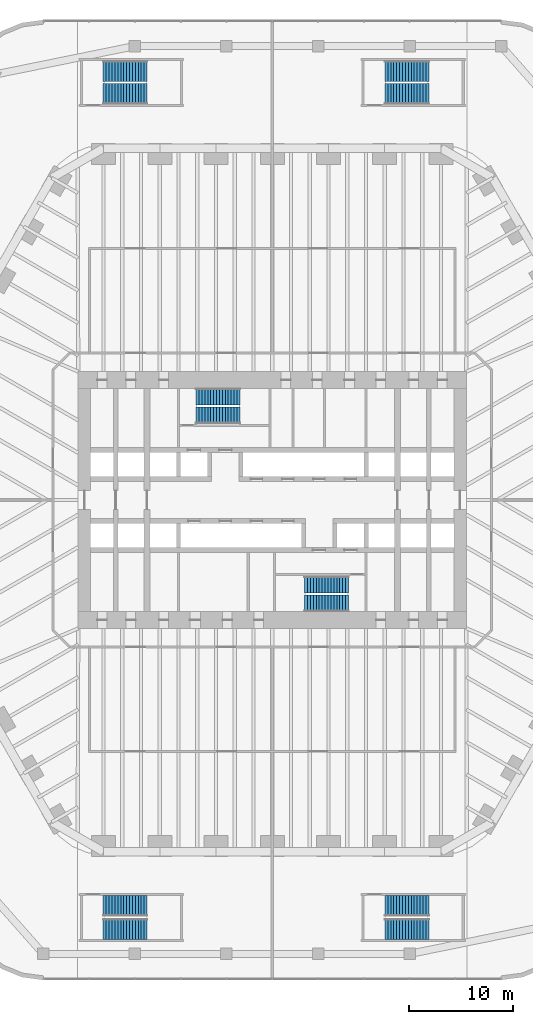
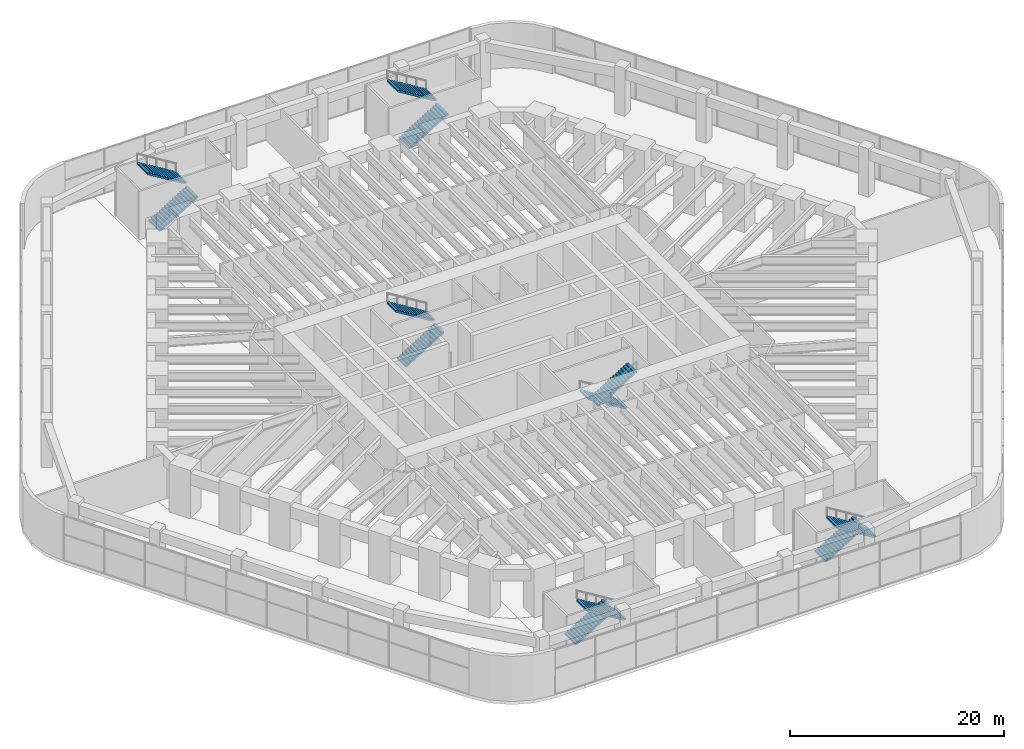
# One storey, part 30 of 31: 12 stair flights, 6 elements without a shape of their own.
"""IFC4 building model written with IfcOpenShell, lengths in metres."""

from ifc_helpers import new_model, si_unit, direction, frame, origin, place, context, subcontext, project, spatial, polyline, outline, extrude, material, type_object, element, aggregate, save


model = new_model("IFC4")

# Units and contexts
model_context = context("Model", 3, precision=1e-05, world=origin(), true_north=direction((0.0, 1.0)))
body_context = subcontext(model_context, "Body", "Model", "MODEL_VIEW")
ifc_project = project(units=[si_unit("LENGTHUNIT", "METRE"), si_unit("AREAUNIT", "SQUARE_METRE"), si_unit("VOLUMEUNIT", "CUBIC_METRE"), si_unit("PLANEANGLEUNIT", "RADIAN"), si_unit("MASSUNIT", "GRAM", prefix="KILO")], contexts=[model_context])

# Site, building, storey
site_placement = place(None, origin())
site = spatial("IfcSite", under=ifc_project, at=site_placement, CompositionType="ELEMENT")
building_placement = place(site_placement, origin())
building = spatial("IfcBuilding", under=site, at=building_placement, Name="Tarfa Lantern Tower", CompositionType="ELEMENT")
storey_placement = place(building_placement, frame((0.0, 0.0, 13.0)))
storey = spatial("IfcBuildingStorey", under=building, at=storey_placement, Name="L02", CompositionType="ELEMENT", Elevation=13.0)

# Stair, stair flights
ifc_material = material(Name="Concrete C40/50", Category="concrete")
stair_type_1 = type_object("IfcStairType", Name="ST-T7 HALF-TURN STAIR 5500 RISE", PredefinedType="HALF_TURN_STAIR", material=ifc_material)
stair_1_placement = place(storey_placement, origin())
stair_1 = element("IfcStair", 1, at=stair_1_placement, inside=storey, type_object=stair_type_1, Name="Stair ST1", PredefinedType="HALF_TURN_STAIR")
stair_flight_type = type_object("IfcStairFlightType", Name="SF1 STAIR FLIGHT", PredefinedType="STRAIGHT", material=ifc_material)
stair_flight_1_placement = place(storey_placement, frame((-7.300048828125, 8.10009765625, 0.0), z_axis=(0.0, 0.0, 1.0), x_axis=(1.0, 0.0, 0.0)))
stair_flight_1 = element("IfcStairFlight", 2, at=stair_flight_1_placement, type_object=stair_flight_type, Name="ST1 flight 1", NumberOfRisers=16, NumberOfTreads=15, PredefinedType="STRAIGHT", RiserHeight=0.171875, TreadLength=0.28, context=body_context, shape_type="SweptSolid", body=[
    extrude(outline(polyline([(0.0, 0.0), (0.0, 0.171875), (0.280029296875, 0.171875), (0.280029296875, 0.34375), (0.56005859375, 0.34375), (0.56005859375, 0.515625), (0.840087890625, 0.515625), (0.840087890625, 0.6875), (1.1201171875, 0.6875), (1.1201171875, 0.859375), (1.39990234375, 0.859375), (1.39990234375, 1.03125), (1.679931640625, 1.03125), (1.679931640625, 1.203125), (1.9599609375, 1.203125), (1.9599609375, 1.375), (2.239990234375, 1.375), (2.239990234375, 1.546875), (2.52001953125, 1.546875), (2.52001953125, 1.71875), (2.800048828125, 1.71875), (2.800048828125, 1.890625), (3.080078125, 1.890625), (3.080078125, 2.0625), (3.360107421875, 2.0625), (3.360107421875, 2.234375), (3.639892578125, 2.234375), (3.639892578125, 2.40625), (3.919921875, 2.40625), (3.919921875, 2.578125), (4.199951171875, 2.578125), (4.199951171875, 2.75), (4.199951171875, 2.40234375), (0.28662109375, 0.0), (0.0, 0.0)])), frame((0.0, 0.800048828125, 0.0), z_axis=(0.0, -1.0, 0.0), x_axis=(1.0, 0.0, 0.0)), (0.0, 0.0, 1.0), 1.60009765625),
])
stair_flight_2_placement = place(storey_placement, frame((-3.10009765625, 9.89990234375, 2.75), z_axis=(0.0, 0.0, 1.0), x_axis=(-1.0, 0.0, 0.0)))
stair_flight_2 = element("IfcStairFlight", 3, at=stair_flight_2_placement, type_object=stair_flight_type, Name="ST1 flight 2", NumberOfRisers=16, NumberOfTreads=15, PredefinedType="STRAIGHT", RiserHeight=0.171875, TreadLength=0.28, context=body_context, shape_type="SweptSolid", body=[
    extrude(outline(polyline([(0.0, 0.0), (0.0, 0.171875), (0.280029296875, 0.171875), (0.280029296875, 0.34375), (0.56005859375, 0.34375), (0.56005859375, 0.515625), (0.840087890625, 0.515625), (0.840087890625, 0.6875), (1.1201171875, 0.6875), (1.1201171875, 0.859375), (1.39990234375, 0.859375), (1.39990234375, 1.03125), (1.679931640625, 1.03125), (1.679931640625, 1.203125), (1.9599609375, 1.203125), (1.9599609375, 1.375), (2.239990234375, 1.375), (2.239990234375, 1.546875), (2.52001953125, 1.546875), (2.52001953125, 1.71875), (2.800048828125, 1.71875), (2.800048828125, 1.890625), (3.080078125, 1.890625), (3.080078125, 2.0625), (3.360107421875, 2.0625), (3.360107421875, 2.234375), (3.639892578125, 2.234375), (3.639892578125, 2.40625), (3.919921875, 2.40625), (3.919921875, 2.578125), (4.199951171875, 2.578125), (4.199951171875, 2.75), (4.199951171875, 2.40234375), (0.28662109375, 0.0), (0.0, 0.0)])), frame((0.0, 0.800048828125, 0.0), z_axis=(0.0, -1.0, 0.0), x_axis=(1.0, 0.0, 0.0)), (0.0, 0.0, 1.0), 1.60009765625),
])
aggregate(stair_1, [stair_flight_1, stair_flight_2])

stair_2_placement = place(storey_placement, origin())
stair_2 = element("IfcStair", 4, at=stair_2_placement, inside=storey, type_object=stair_type_1, Name="Stair ST2", PredefinedType="HALF_TURN_STAIR")
stair_flight_3_placement = place(storey_placement, frame((7.300048828125, -8.10009765625, 0.0), z_axis=(0.0, 0.0, 1.0), x_axis=(-1.0, 0.0, 0.0)))
stair_flight_3 = element("IfcStairFlight", 5, at=stair_flight_3_placement, type_object=stair_flight_type, Name="ST2 flight 1", NumberOfRisers=16, NumberOfTreads=15, PredefinedType="STRAIGHT", RiserHeight=0.171875, TreadLength=0.28, context=body_context, shape_type="SweptSolid", body=[
    extrude(outline(polyline([(0.0, 0.0), (0.0, 0.171875), (0.280029296875, 0.171875), (0.280029296875, 0.34375), (0.56005859375, 0.34375), (0.56005859375, 0.515625), (0.840087890625, 0.515625), (0.840087890625, 0.6875), (1.1201171875, 0.6875), (1.1201171875, 0.859375), (1.39990234375, 0.859375), (1.39990234375, 1.03125), (1.679931640625, 1.03125), (1.679931640625, 1.203125), (1.9599609375, 1.203125), (1.9599609375, 1.375), (2.239990234375, 1.375), (2.239990234375, 1.546875), (2.52001953125, 1.546875), (2.52001953125, 1.71875), (2.800048828125, 1.71875), (2.800048828125, 1.890625), (3.080078125, 1.890625), (3.080078125, 2.0625), (3.360107421875, 2.0625), (3.360107421875, 2.234375), (3.639892578125, 2.234375), (3.639892578125, 2.40625), (3.919921875, 2.40625), (3.919921875, 2.578125), (4.199951171875, 2.578125), (4.199951171875, 2.75), (4.199951171875, 2.40234375), (0.28662109375, 0.0), (0.0, 0.0)])), frame((0.0, 0.800048828125, 0.0), z_axis=(0.0, -1.0, 0.0), x_axis=(1.0, 0.0, 0.0)), (0.0, 0.0, 1.0), 1.60009765625),
])
stair_flight_4_placement = place(storey_placement, frame((3.10009765625, -9.89990234375, 2.75), z_axis=(0.0, 0.0, 1.0), x_axis=(1.0, 0.0, 0.0)))
stair_flight_4 = element("IfcStairFlight", 6, at=stair_flight_4_placement, type_object=stair_flight_type, Name="ST2 flight 2", NumberOfRisers=16, NumberOfTreads=15, PredefinedType="STRAIGHT", RiserHeight=0.171875, TreadLength=0.28, context=body_context, shape_type="SweptSolid", body=[
    extrude(outline(polyline([(0.0, 0.0), (0.0, 0.171875), (0.280029296875, 0.171875), (0.280029296875, 0.34375), (0.56005859375, 0.34375), (0.56005859375, 0.515625), (0.840087890625, 0.515625), (0.840087890625, 0.6875), (1.1201171875, 0.6875), (1.1201171875, 0.859375), (1.39990234375, 0.859375), (1.39990234375, 1.03125), (1.679931640625, 1.03125), (1.679931640625, 1.203125), (1.9599609375, 1.203125), (1.9599609375, 1.375), (2.239990234375, 1.375), (2.239990234375, 1.546875), (2.52001953125, 1.546875), (2.52001953125, 1.71875), (2.800048828125, 1.71875), (2.800048828125, 1.890625), (3.080078125, 1.890625), (3.080078125, 2.0625), (3.360107421875, 2.0625), (3.360107421875, 2.234375), (3.639892578125, 2.234375), (3.639892578125, 2.40625), (3.919921875, 2.40625), (3.919921875, 2.578125), (4.199951171875, 2.578125), (4.199951171875, 2.75), (4.199951171875, 2.40234375), (0.28662109375, 0.0), (0.0, 0.0)])), frame((0.0, 0.800048828125, 0.0), z_axis=(0.0, -1.0, 0.0), x_axis=(1.0, 0.0, 0.0)), (0.0, 0.0, 1.0), 1.60009765625),
])
aggregate(stair_2, [stair_flight_3, stair_flight_4])

stair_type_2 = type_object("IfcStairType", Name="ST-T8 HALF-TURN STAIR 5500 RISE", PredefinedType="HALF_TURN_STAIR", material=ifc_material)
stair_3_placement = place(storey_placement, origin())
stair_3 = element("IfcStair", 7, at=stair_3_placement, inside=storey, type_object=stair_type_2, Name="Stair ST3", PredefinedType="HALF_TURN_STAIR")
stair_flight_5_placement = place(storey_placement, frame((10.800048828125, 38.89990234375, 0.0), z_axis=(0.0, 0.0, 1.0), x_axis=(1.0, 0.0, 0.0)))
stair_flight_5 = element("IfcStairFlight", 8, at=stair_flight_5_placement, type_object=stair_flight_type, Name="ST3 flight 1", NumberOfRisers=16, NumberOfTreads=15, PredefinedType="STRAIGHT", RiserHeight=0.171875, TreadLength=0.28, context=body_context, shape_type="SweptSolid", body=[
    extrude(outline(polyline([(0.0, 0.0), (0.0, 0.171875), (0.280029296875, 0.171875), (0.280029296875, 0.34375), (0.56005859375, 0.34375), (0.56005859375, 0.515625), (0.840087890625, 0.515625), (0.840087890625, 0.6875), (1.1201171875, 0.6875), (1.1201171875, 0.859375), (1.39990234375, 0.859375), (1.39990234375, 1.03125), (1.679931640625, 1.03125), (1.679931640625, 1.203125), (1.9599609375, 1.203125), (1.9599609375, 1.375), (2.239990234375, 1.375), (2.239990234375, 1.546875), (2.52001953125, 1.546875), (2.52001953125, 1.71875), (2.800048828125, 1.71875), (2.800048828125, 1.890625), (3.080078125, 1.890625), (3.080078125, 2.0625), (3.360107421875, 2.0625), (3.360107421875, 2.234375), (3.639892578125, 2.234375), (3.639892578125, 2.40625), (3.919921875, 2.40625), (3.919921875, 2.578125), (4.199951171875, 2.578125), (4.199951171875, 2.75), (4.199951171875, 2.40234375), (0.28662109375, 0.0), (0.0, 0.0)])), frame((0.0, 1.0, 0.0), z_axis=(0.0, -1.0, 0.0), x_axis=(1.0, 0.0, 0.0)), (0.0, 0.0, 1.0), 2.0),
])
stair_flight_6_placement = place(storey_placement, frame((15.0, 41.10009765625, 2.75), z_axis=(0.0, 0.0, 1.0), x_axis=(-1.0, 0.0, 0.0)))
stair_flight_6 = element("IfcStairFlight", 9, at=stair_flight_6_placement, type_object=stair_flight_type, Name="ST3 flight 2", NumberOfRisers=16, NumberOfTreads=15, PredefinedType="STRAIGHT", RiserHeight=0.171875, TreadLength=0.28, context=body_context, shape_type="SweptSolid", body=[
    extrude(outline(polyline([(0.0, 0.0), (0.0, 0.171875), (0.280029296875, 0.171875), (0.280029296875, 0.34375), (0.56005859375, 0.34375), (0.56005859375, 0.515625), (0.840087890625, 0.515625), (0.840087890625, 0.6875), (1.1201171875, 0.6875), (1.1201171875, 0.859375), (1.39990234375, 0.859375), (1.39990234375, 1.03125), (1.679931640625, 1.03125), (1.679931640625, 1.203125), (1.9599609375, 1.203125), (1.9599609375, 1.375), (2.239990234375, 1.375), (2.239990234375, 1.546875), (2.52001953125, 1.546875), (2.52001953125, 1.71875), (2.800048828125, 1.71875), (2.800048828125, 1.890625), (3.080078125, 1.890625), (3.080078125, 2.0625), (3.360107421875, 2.0625), (3.360107421875, 2.234375), (3.639892578125, 2.234375), (3.639892578125, 2.40625), (3.919921875, 2.40625), (3.919921875, 2.578125), (4.199951171875, 2.578125), (4.199951171875, 2.75), (4.199951171875, 2.40234375), (0.28662109375, 0.0), (0.0, 0.0)])), frame((0.0, 1.0, 0.0), z_axis=(0.0, -1.0, 0.0), x_axis=(1.0, 0.0, 0.0)), (0.0, 0.0, 1.0), 2.0),
])
aggregate(stair_3, [stair_flight_5, stair_flight_6])

stair_4_placement = place(storey_placement, origin())
stair_4 = element("IfcStair", 10, at=stair_4_placement, inside=storey, type_object=stair_type_2, Name="Stair ST4", PredefinedType="HALF_TURN_STAIR")
stair_flight_7_placement = place(storey_placement, frame((-16.199951171875, 38.89990234375, 0.0), z_axis=(0.0, 0.0, 1.0), x_axis=(1.0, 0.0, 0.0)))
stair_flight_7 = element("IfcStairFlight", 11, at=stair_flight_7_placement, type_object=stair_flight_type, Name="ST4 flight 1", NumberOfRisers=16, NumberOfTreads=15, PredefinedType="STRAIGHT", RiserHeight=0.171875, TreadLength=0.28, context=body_context, shape_type="SweptSolid", body=[
    extrude(outline(polyline([(0.0, 0.0), (0.0, 0.171875), (0.280029296875, 0.171875), (0.280029296875, 0.34375), (0.56005859375, 0.34375), (0.56005859375, 0.515625), (0.840087890625, 0.515625), (0.840087890625, 0.6875), (1.1201171875, 0.6875), (1.1201171875, 0.859375), (1.39990234375, 0.859375), (1.39990234375, 1.03125), (1.679931640625, 1.03125), (1.679931640625, 1.203125), (1.9599609375, 1.203125), (1.9599609375, 1.375), (2.239990234375, 1.375), (2.239990234375, 1.546875), (2.52001953125, 1.546875), (2.52001953125, 1.71875), (2.800048828125, 1.71875), (2.800048828125, 1.890625), (3.080078125, 1.890625), (3.080078125, 2.0625), (3.360107421875, 2.0625), (3.360107421875, 2.234375), (3.639892578125, 2.234375), (3.639892578125, 2.40625), (3.919921875, 2.40625), (3.919921875, 2.578125), (4.199951171875, 2.578125), (4.199951171875, 2.75), (4.199951171875, 2.40234375), (0.28662109375, 0.0), (0.0, 0.0)])), frame((0.0, 1.0, 0.0), z_axis=(0.0, -1.0, 0.0), x_axis=(1.0, 0.0, 0.0)), (0.0, 0.0, 1.0), 2.0),
])
stair_flight_8_placement = place(storey_placement, frame((-12.0, 41.10009765625, 2.75), z_axis=(0.0, 0.0, 1.0), x_axis=(-1.0, 0.0, 0.0)))
stair_flight_8 = element("IfcStairFlight", 12, at=stair_flight_8_placement, type_object=stair_flight_type, Name="ST4 flight 2", NumberOfRisers=16, NumberOfTreads=15, PredefinedType="STRAIGHT", RiserHeight=0.171875, TreadLength=0.28, context=body_context, shape_type="SweptSolid", body=[
    extrude(outline(polyline([(0.0, 0.0), (0.0, 0.171875), (0.280029296875, 0.171875), (0.280029296875, 0.34375), (0.56005859375, 0.34375), (0.56005859375, 0.515625), (0.840087890625, 0.515625), (0.840087890625, 0.6875), (1.1201171875, 0.6875), (1.1201171875, 0.859375), (1.39990234375, 0.859375), (1.39990234375, 1.03125), (1.679931640625, 1.03125), (1.679931640625, 1.203125), (1.9599609375, 1.203125), (1.9599609375, 1.375), (2.239990234375, 1.375), (2.239990234375, 1.546875), (2.52001953125, 1.546875), (2.52001953125, 1.71875), (2.800048828125, 1.71875), (2.800048828125, 1.890625), (3.080078125, 1.890625), (3.080078125, 2.0625), (3.360107421875, 2.0625), (3.360107421875, 2.234375), (3.639892578125, 2.234375), (3.639892578125, 2.40625), (3.919921875, 2.40625), (3.919921875, 2.578125), (4.199951171875, 2.578125), (4.199951171875, 2.75), (4.199951171875, 2.40234375), (0.28662109375, 0.0), (0.0, 0.0)])), frame((0.0, 1.0, 0.0), z_axis=(0.0, -1.0, 0.0), x_axis=(1.0, 0.0, 0.0)), (0.0, 0.0, 1.0), 2.0),
])
aggregate(stair_4, [stair_flight_7, stair_flight_8])

stair_5_placement = place(storey_placement, origin())
stair_5 = element("IfcStair", 13, at=stair_5_placement, inside=storey, type_object=stair_type_2, Name="Stair ST5", PredefinedType="HALF_TURN_STAIR")
stair_flight_9_placement = place(storey_placement, frame((-16.199951171875, -38.89990234375, 0.0), z_axis=(0.0, 0.0, 1.0), x_axis=(1.0, 0.0, 0.0)))
stair_flight_9 = element("IfcStairFlight", 14, at=stair_flight_9_placement, type_object=stair_flight_type, Name="ST5 flight 1", NumberOfRisers=16, NumberOfTreads=15, PredefinedType="STRAIGHT", RiserHeight=0.171875, TreadLength=0.28, context=body_context, shape_type="SweptSolid", body=[
    extrude(outline(polyline([(0.0, 0.0), (0.0, 0.171875), (0.280029296875, 0.171875), (0.280029296875, 0.34375), (0.56005859375, 0.34375), (0.56005859375, 0.515625), (0.840087890625, 0.515625), (0.840087890625, 0.6875), (1.1201171875, 0.6875), (1.1201171875, 0.859375), (1.39990234375, 0.859375), (1.39990234375, 1.03125), (1.679931640625, 1.03125), (1.679931640625, 1.203125), (1.9599609375, 1.203125), (1.9599609375, 1.375), (2.239990234375, 1.375), (2.239990234375, 1.546875), (2.52001953125, 1.546875), (2.52001953125, 1.71875), (2.800048828125, 1.71875), (2.800048828125, 1.890625), (3.080078125, 1.890625), (3.080078125, 2.0625), (3.360107421875, 2.0625), (3.360107421875, 2.234375), (3.639892578125, 2.234375), (3.639892578125, 2.40625), (3.919921875, 2.40625), (3.919921875, 2.578125), (4.199951171875, 2.578125), (4.199951171875, 2.75), (4.199951171875, 2.40234375), (0.28662109375, 0.0), (0.0, 0.0)])), frame((0.0, 1.0, 0.0), z_axis=(0.0, -1.0, 0.0), x_axis=(1.0, 0.0, 0.0)), (0.0, 0.0, 1.0), 2.0),
])
stair_flight_10_placement = place(storey_placement, frame((-12.0, -41.10009765625, 2.75), z_axis=(0.0, 0.0, 1.0), x_axis=(-1.0, 0.0, 0.0)))
stair_flight_10 = element("IfcStairFlight", 15, at=stair_flight_10_placement, type_object=stair_flight_type, Name="ST5 flight 2", NumberOfRisers=16, NumberOfTreads=15, PredefinedType="STRAIGHT", RiserHeight=0.171875, TreadLength=0.28, context=body_context, shape_type="SweptSolid", body=[
    extrude(outline(polyline([(0.0, 0.0), (0.0, 0.171875), (0.280029296875, 0.171875), (0.280029296875, 0.34375), (0.56005859375, 0.34375), (0.56005859375, 0.515625), (0.840087890625, 0.515625), (0.840087890625, 0.6875), (1.1201171875, 0.6875), (1.1201171875, 0.859375), (1.39990234375, 0.859375), (1.39990234375, 1.03125), (1.679931640625, 1.03125), (1.679931640625, 1.203125), (1.9599609375, 1.203125), (1.9599609375, 1.375), (2.239990234375, 1.375), (2.239990234375, 1.546875), (2.52001953125, 1.546875), (2.52001953125, 1.71875), (2.800048828125, 1.71875), (2.800048828125, 1.890625), (3.080078125, 1.890625), (3.080078125, 2.0625), (3.360107421875, 2.0625), (3.360107421875, 2.234375), (3.639892578125, 2.234375), (3.639892578125, 2.40625), (3.919921875, 2.40625), (3.919921875, 2.578125), (4.199951171875, 2.578125), (4.199951171875, 2.75), (4.199951171875, 2.40234375), (0.28662109375, 0.0), (0.0, 0.0)])), frame((0.0, 1.0, 0.0), z_axis=(0.0, -1.0, 0.0), x_axis=(1.0, 0.0, 0.0)), (0.0, 0.0, 1.0), 2.0),
])
aggregate(stair_5, [stair_flight_9, stair_flight_10])

stair_6_placement = place(storey_placement, origin())
stair_6 = element("IfcStair", 16, at=stair_6_placement, inside=storey, type_object=stair_type_2, Name="Stair ST6", PredefinedType="HALF_TURN_STAIR")
stair_flight_11_placement = place(storey_placement, frame((10.800048828125, -38.89990234375, 0.0), z_axis=(0.0, 0.0, 1.0), x_axis=(1.0, 0.0, 0.0)))
stair_flight_11 = element("IfcStairFlight", 17, at=stair_flight_11_placement, type_object=stair_flight_type, Name="ST6 flight 1", NumberOfRisers=16, NumberOfTreads=15, PredefinedType="STRAIGHT", RiserHeight=0.171875, TreadLength=0.28, context=body_context, shape_type="SweptSolid", body=[
    extrude(outline(polyline([(0.0, 0.0), (0.0, 0.171875), (0.280029296875, 0.171875), (0.280029296875, 0.34375), (0.56005859375, 0.34375), (0.56005859375, 0.515625), (0.840087890625, 0.515625), (0.840087890625, 0.6875), (1.1201171875, 0.6875), (1.1201171875, 0.859375), (1.39990234375, 0.859375), (1.39990234375, 1.03125), (1.679931640625, 1.03125), (1.679931640625, 1.203125), (1.9599609375, 1.203125), (1.9599609375, 1.375), (2.239990234375, 1.375), (2.239990234375, 1.546875), (2.52001953125, 1.546875), (2.52001953125, 1.71875), (2.800048828125, 1.71875), (2.800048828125, 1.890625), (3.080078125, 1.890625), (3.080078125, 2.0625), (3.360107421875, 2.0625), (3.360107421875, 2.234375), (3.639892578125, 2.234375), (3.639892578125, 2.40625), (3.919921875, 2.40625), (3.919921875, 2.578125), (4.199951171875, 2.578125), (4.199951171875, 2.75), (4.199951171875, 2.40234375), (0.28662109375, 0.0), (0.0, 0.0)])), frame((0.0, 1.0, 0.0), z_axis=(0.0, -1.0, 0.0), x_axis=(1.0, 0.0, 0.0)), (0.0, 0.0, 1.0), 2.0),
])
stair_flight_12_placement = place(storey_placement, frame((15.0, -41.10009765625, 2.75), z_axis=(0.0, 0.0, 1.0), x_axis=(-1.0, 0.0, 0.0)))
stair_flight_12 = element("IfcStairFlight", 18, at=stair_flight_12_placement, type_object=stair_flight_type, Name="ST6 flight 2", NumberOfRisers=16, NumberOfTreads=15, PredefinedType="STRAIGHT", RiserHeight=0.171875, TreadLength=0.28, context=body_context, shape_type="SweptSolid", body=[
    extrude(outline(polyline([(0.0, 0.0), (0.0, 0.171875), (0.280029296875, 0.171875), (0.280029296875, 0.34375), (0.56005859375, 0.34375), (0.56005859375, 0.515625), (0.840087890625, 0.515625), (0.840087890625, 0.6875), (1.1201171875, 0.6875), (1.1201171875, 0.859375), (1.39990234375, 0.859375), (1.39990234375, 1.03125), (1.679931640625, 1.03125), (1.679931640625, 1.203125), (1.9599609375, 1.203125), (1.9599609375, 1.375), (2.239990234375, 1.375), (2.239990234375, 1.546875), (2.52001953125, 1.546875), (2.52001953125, 1.71875), (2.800048828125, 1.71875), (2.800048828125, 1.890625), (3.080078125, 1.890625), (3.080078125, 2.0625), (3.360107421875, 2.0625), (3.360107421875, 2.234375), (3.639892578125, 2.234375), (3.639892578125, 2.40625), (3.919921875, 2.40625), (3.919921875, 2.578125), (4.199951171875, 2.578125), (4.199951171875, 2.75), (4.199951171875, 2.40234375), (0.28662109375, 0.0), (0.0, 0.0)])), frame((0.0, 1.0, 0.0), z_axis=(0.0, -1.0, 0.0), x_axis=(1.0, 0.0, 0.0)), (0.0, 0.0, 1.0), 2.0),
])
aggregate(stair_6, [stair_flight_11, stair_flight_12])

save(model, "model.ifc")
